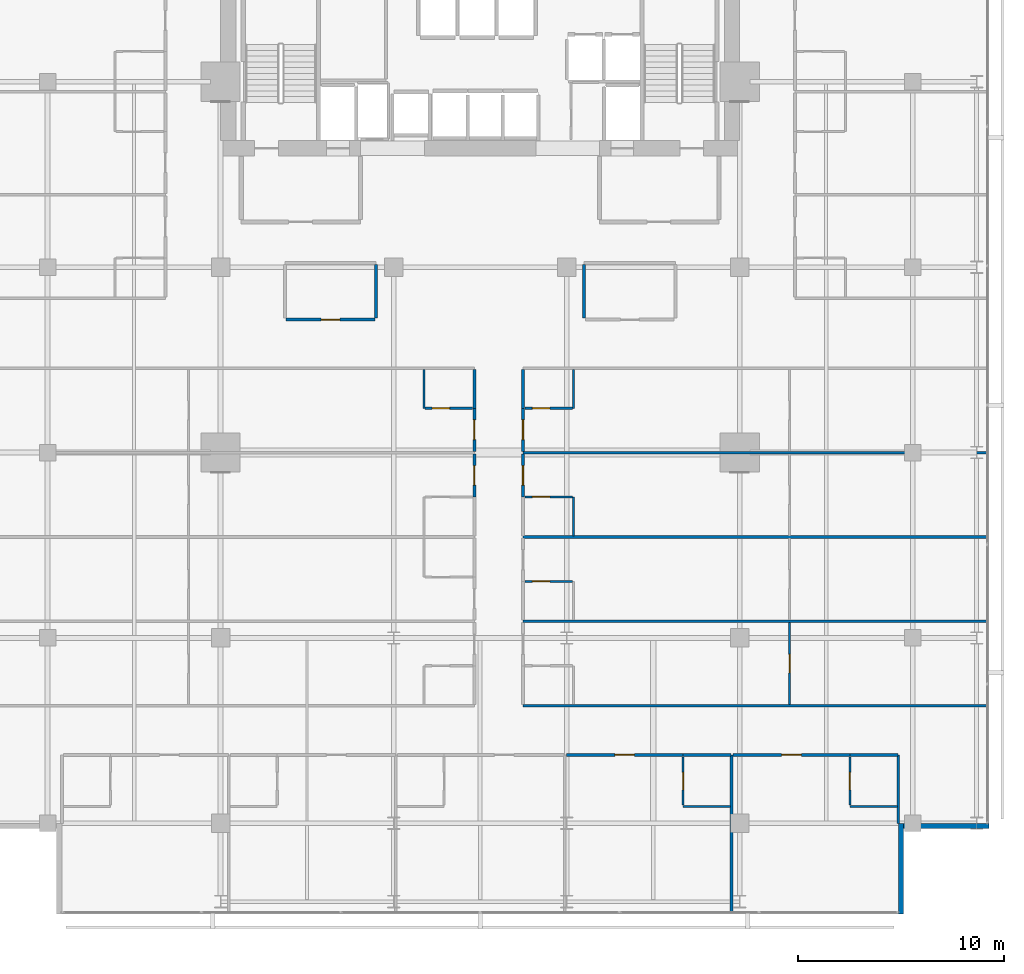
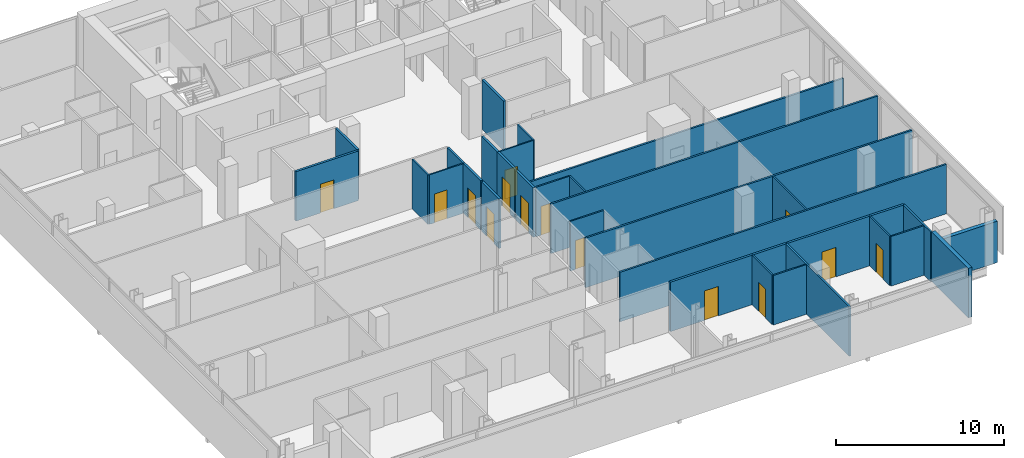
# One storey, part 28 of 34: 33 walls, 14 doors, 14 openings.
"""IFC4 building model written with IfcOpenShell, lengths in metres."""

from ifc_helpers import new_model, si_unit, direction, frame, frame_2d, origin, place, context, subcontext, project, spatial, rectangle, extrude, material, layer, layer_set, type_object, element, fill, save


model = new_model("IFC4")

# Units and contexts
model_context = context("Model", 3, precision=1e-05, world=origin(), true_north=direction((0.0, 1.0)))
body_context = subcontext(model_context, "Body", "Model", "MODEL_VIEW")
ifc_project = project(units=[si_unit("LENGTHUNIT", "METRE"), si_unit("AREAUNIT", "SQUARE_METRE"), si_unit("VOLUMEUNIT", "CUBIC_METRE"), si_unit("PLANEANGLEUNIT", "RADIAN"), si_unit("MASSUNIT", "GRAM", prefix="KILO")], contexts=[model_context])

# Site, building, storey
site_placement = place(None, origin())
site = spatial("IfcSite", under=ifc_project, at=site_placement, CompositionType="ELEMENT")
building_placement = place(site_placement, origin())
building = spatial("IfcBuilding", under=site, at=building_placement, Name="Maruvema Waterfront Hotel and Observation Tower", CompositionType="ELEMENT")
storey_placement = place(building_placement, frame((0.0, 0.0, 177.449951171875)))
storey = spatial("IfcBuildingStorey", under=building, at=storey_placement, Name="L43", CompositionType="ELEMENT", Elevation=177.449951171875)

# Wall
ifc_material_1 = material(Name="Twin-stud acoustic gypsum drywall", Category="gypsum")
ifc_layer_1 = layer(ifc_material_1, 0.14990234375, Name="Acoustic Corridor and Suite Demising Wall 150 mm")
ifc_layer_set_1 = layer_set([ifc_layer_1], Name="Twin-stud acoustic gypsum drywall")
wall_type_1 = type_object("IfcWallType", Name="Acoustic Corridor and Suite Demising Wall 150 mm", PredefinedType="PARTITIONING", material=ifc_layer_set_1)
wall_1_placement = place(storey_placement, frame((32.75, 33.530029296875, 0.0), z_axis=(0.0, 0.0, 1.0), x_axis=(0.0, 1.0, 0.0)))
element("IfcWall", 1, at=wall_1_placement, inside=storey, type_object=wall_type_1, Name="L43 L43-M1 East Wall 019", PredefinedType="PARTITIONING", context=body_context, shape_type="SweptSolid", body=[
    extrude(rectangle(XDim=2.590087890625, YDim=0.14990234375, at=frame_2d((1.294921875, 0.0))), origin(), (0.0, 0.0, 1.0), 3.610107421875),
])

# Wall, opening, door
wall_2_placement = place(storey_placement, frame((28.3798828125, 33.449951171875, 0.0), z_axis=(0.0, 0.0, 1.0), x_axis=(1.0, 0.0, 0.0)))
wall_2 = element("IfcWall", 2, at=wall_2_placement, inside=storey, type_object=wall_type_1, Name="L43 L43-M1 Front 1 020", PredefinedType="PARTITIONING", context=body_context, shape_type="SweptSolid", body=[
    extrude(rectangle(XDim=4.31005859375, YDim=0.14990234375, at=frame_2d((2.155029296875, 0.0))), origin(), (0.0, 0.0, 1.0), 3.610107421875),
])
opening_1_placement = place(wall_2_placement, frame((1.705078125, 0.0, 0.0)))
opening_1 = element("IfcOpeningElement", 3, at=opening_1_placement, cuts=wall_2, Name="Opening DR-090", PredefinedType="OPENING", context=body_context, shape_type="SweptSolid", body=[
    extrude(rectangle(XDim=0.89990234375, YDim=2.10009765625, at=frame_2d((0.449951171875, 1.050048828125))), frame((0.0, 0.0849609375, 0.0), z_axis=(0.0, -1.0, 0.0), x_axis=(1.0, 0.0, 0.0)), (0.0, 0.0, 1.0), 0.169921875),
])
ifc_material_2 = material(Name="Solid-core lacquered timber leaf", Category="wood")
door_type_1 = type_object("IfcDoorType", Name="Accessible Toilet and Room Door 900x2100 mm", OperationType="NOTDEFINED", PredefinedType="DOOR", material=ifc_material_2)
door_1_placement = place(opening_1_placement, frame((0.89990234375, 0.0, 0.0), z_axis=(0.0, 0.0, 1.0), x_axis=(-1.0, 0.0, 0.0)))
door_1 = element("IfcDoor", 4, at=door_1_placement, inside=storey, type_object=door_type_1, Name="L43 Meeting Room 1 Door", OperationType="SINGLE_SWING_RIGHT", OverallHeight=2.10009765625, OverallWidth=0.89990234375, PredefinedType="DOOR", context=body_context, shape_type="SweptSolid", body=[
    extrude(rectangle(XDim=0.89990234375, YDim=2.10009765625, at=frame_2d((0.449951171875, 1.050048828125))), frame((0.0, 0.02490234375, 0.0), z_axis=(0.0, -1.0, 0.0), x_axis=(1.0, 0.0, 0.0)), (0.0, 0.0, 1.0), 0.050048828125),
])
fill(opening_1, door_1)

# Walls
wall_3_placement = place(storey_placement, frame((42.85009765625, 33.530029296875, 0.0), z_axis=(0.0, 0.0, 1.0), x_axis=(0.0, 1.0, 0.0)))
element("IfcWall", 5, at=wall_3_placement, inside=storey, type_object=wall_type_1, Name="L43 L43-M2 West Wall 022", PredefinedType="PARTITIONING", context=body_context, shape_type="SweptSolid", body=[
    extrude(rectangle(XDim=2.590087890625, YDim=0.14990234375, at=frame_2d((1.294921875, 0.0))), origin(), (0.0, 0.0, 1.0), 3.610107421875),
])
wall_4_placement = place(storey_placement, frame((47.64990234375, 12.320068359375, 0.0), z_axis=(0.0, 0.0, 1.0), x_axis=(1.0, 0.0, 0.0)))
element("IfcWall", 6, at=wall_4_placement, inside=storey, type_object=wall_type_1, Name="L43 Bath L43-S4 Back Wall 042", PredefinedType="PARTITIONING", context=body_context, shape_type="SweptSolid", body=[
    extrude(rectangle(XDim=2.330078125, YDim=0.14990234375, at=frame_2d((1.1650390625, 0.0))), origin(), (0.0, 0.0, 1.0), 3.610107421875),
])

# Wall, opening, door
wall_5_placement = place(storey_placement, frame((41.97998046875, 12.320068359375, 0.0), z_axis=(0.0, 0.0, 1.0), x_axis=(1.0, 0.0, 0.0)))
wall_5 = element("IfcWall", 7, at=wall_5_placement, inside=storey, type_object=wall_type_1, Name="L43 Unit L43-S4 Corridor Wall 045", PredefinedType="PARTITIONING", context=body_context, shape_type="SweptSolid", body=[
    extrude(rectangle(XDim=5.669921875, YDim=0.14990234375, at=frame_2d((2.8349609375, 0.0))), origin(), (0.0, 0.0, 1.0), 3.610107421875),
])
opening_2_placement = place(wall_5_placement, frame((2.360107421875, 0.0, 0.0)))
opening_2 = element("IfcOpeningElement", 8, at=opening_2_placement, cuts=wall_5, Name="Opening DR-095", PredefinedType="OPENING", context=body_context, shape_type="SweptSolid", body=[
    extrude(rectangle(XDim=0.949951171875, YDim=2.14990234375, at=frame_2d((0.47509765625, 1.074951171875))), frame((0.0, 0.0849609375, 0.0), z_axis=(0.0, -1.0, 0.0), x_axis=(1.0, 0.0, 0.0)), (0.0, 0.0, 1.0), 0.169921875),
])
ifc_material_3 = material(Name="Acoustic solid-core hardwood timber leaf", Category="wood")
door_type_2 = type_object("IfcDoorType", Name="Guestroom Entrance Fire Door 950x2150 mm", OperationType="NOTDEFINED", PredefinedType="DOOR", material=ifc_material_3)
door_2_placement = place(opening_2_placement, frame((0.949951171875, 0.0, 0.0), z_axis=(0.0, 0.0, 1.0), x_axis=(-1.0, 0.0, 0.0)))
door_2 = element("IfcDoor", 9, at=door_2_placement, inside=storey, type_object=door_type_2, Name="L43 Unit L43-S4 Entrance Door", OperationType="SINGLE_SWING_LEFT", OverallHeight=2.14990234375, OverallWidth=0.949951171875, PredefinedType="DOOR", context=body_context, shape_type="SweptSolid", body=[
    extrude(rectangle(XDim=0.949951171875, YDim=2.14990234375, at=frame_2d((0.47509765625, 1.074951171875))), frame((0.0, 0.02490234375, 0.0), z_axis=(0.0, -1.0, 0.0), x_axis=(1.0, 0.0, 0.0)), (0.0, 0.0, 1.0), 0.050048828125),
])
fill(opening_2, door_2)

# Wall
wall_6_placement = place(storey_placement, frame((55.75, 12.320068359375, 0.0), z_axis=(0.0, 0.0, 1.0), x_axis=(1.0, 0.0, 0.0)))
element("IfcWall", 10, at=wall_6_placement, inside=storey, type_object=wall_type_1, Name="L43 Bath L43-S5 Back Wall 047", PredefinedType="PARTITIONING", context=body_context, shape_type="SweptSolid", body=[
    extrude(rectangle(XDim=2.330078125, YDim=0.14990234375, at=frame_2d((1.1650390625, 0.0))), origin(), (0.0, 0.0, 1.0), 3.610107421875),
])

# Wall, opening, door
wall_7_placement = place(storey_placement, frame((50.080078125, 12.320068359375, 0.0), z_axis=(0.0, 0.0, 1.0), x_axis=(1.0, 0.0, 0.0)))
wall_7 = element("IfcWall", 11, at=wall_7_placement, inside=storey, type_object=wall_type_1, Name="L43 Unit L43-S5 Corridor Wall 050", PredefinedType="PARTITIONING", context=body_context, shape_type="SweptSolid", body=[
    extrude(rectangle(XDim=5.669921875, YDim=0.14990234375, at=frame_2d((2.8349609375, 0.0))), origin(), (0.0, 0.0, 1.0), 3.610107421875),
])
opening_3_placement = place(wall_7_placement, frame((2.360107421875, 0.0, 0.0)))
opening_3 = element("IfcOpeningElement", 12, at=opening_3_placement, cuts=wall_7, Name="Opening DR-095", PredefinedType="OPENING", context=body_context, shape_type="SweptSolid", body=[
    extrude(rectangle(XDim=0.949951171875, YDim=2.14990234375, at=frame_2d((0.47509765625, 1.074951171875))), frame((0.0, 0.0849609375, 0.0), z_axis=(0.0, -1.0, 0.0), x_axis=(1.0, 0.0, 0.0)), (0.0, 0.0, 1.0), 0.169921875),
])
door_3_placement = place(opening_3_placement, frame((0.949951171875, 0.0, 0.0), z_axis=(0.0, 0.0, 1.0), x_axis=(-1.0, 0.0, 0.0)))
door_3 = element("IfcDoor", 13, at=door_3_placement, inside=storey, type_object=door_type_2, Name="L43 Unit L43-S5 Entrance Door", OperationType="SINGLE_SWING_LEFT", OverallHeight=2.14990234375, OverallWidth=0.949951171875, PredefinedType="DOOR", context=body_context, shape_type="SweptSolid", body=[
    extrude(rectangle(XDim=0.949951171875, YDim=2.14990234375, at=frame_2d((0.47509765625, 1.074951171875))), frame((0.0, 0.02490234375, 0.0), z_axis=(0.0, -1.0, 0.0), x_axis=(1.0, 0.0, 0.0)), (0.0, 0.0, 1.0), 0.050048828125),
])
fill(opening_3, door_3)

wall_8_placement = place(storey_placement, frame((37.52001953125, 24.85009765625, 0.0), z_axis=(0.0, 0.0, 1.0), x_axis=(0.0, 1.0, 0.0)))
wall_8 = element("IfcWall", 14, at=wall_8_placement, inside=storey, type_object=wall_type_1, Name="L43 Room L43-W3 Corridor Wall 080", PredefinedType="PARTITIONING", context=body_context, shape_type="SweptSolid", body=[
    extrude(rectangle(XDim=2.08984375, YDim=0.14990234375, at=frame_2d((1.044921875, 0.0))), origin(), (0.0, 0.0, 1.0), 3.610107421875),
])
opening_4_placement = place(wall_8_placement, frame((0.570068359375, 0.0, 0.0)))
opening_4 = element("IfcOpeningElement", 15, at=opening_4_placement, cuts=wall_8, Name="Opening DR-095", PredefinedType="OPENING", context=body_context, shape_type="SweptSolid", body=[
    extrude(rectangle(XDim=0.949951171875, YDim=2.14990234375, at=frame_2d((0.47509765625, 1.074951171875))), frame((0.0, 0.0849609375, 0.0), z_axis=(0.0, -1.0, 0.0), x_axis=(1.0, 0.0, 0.0)), (0.0, 0.0, 1.0), 0.169921875),
])
door_4_placement = place(opening_4_placement, origin())
door_4 = element("IfcDoor", 16, at=door_4_placement, inside=storey, type_object=door_type_2, Name="L43 Room L43-W3 Entrance Door", OperationType="SINGLE_SWING_LEFT", OverallHeight=2.14990234375, OverallWidth=0.949951171875, PredefinedType="DOOR", context=body_context, shape_type="SweptSolid", body=[
    extrude(rectangle(XDim=0.949951171875, YDim=2.14990234375, at=frame_2d((0.47509765625, 1.074951171875))), frame((0.0, 0.02490234375, 0.0), z_axis=(0.0, -1.0, 0.0), x_axis=(1.0, 0.0, 0.0)), (0.0, 0.0, 1.0), 0.050048828125),
])
fill(opening_4, door_4)

wall_9_placement = place(storey_placement, frame((39.8798828125, 24.85009765625, 0.0), z_axis=(0.0, 0.0, 1.0), x_axis=(0.0, 1.0, 0.0)))
wall_9 = element("IfcWall", 17, at=wall_9_placement, inside=storey, type_object=wall_type_1, Name="L43 Room L43-E3 Corridor Wall 085", PredefinedType="PARTITIONING", context=body_context, shape_type="SweptSolid", body=[
    extrude(rectangle(XDim=2.08984375, YDim=0.14990234375, at=frame_2d((1.044921875, 0.0))), origin(), (0.0, 0.0, 1.0), 3.610107421875),
])
opening_5_placement = place(wall_9_placement, frame((0.570068359375, 0.0, 0.0)))
opening_5 = element("IfcOpeningElement", 18, at=opening_5_placement, cuts=wall_9, Name="Opening DR-095", PredefinedType="OPENING", context=body_context, shape_type="SweptSolid", body=[
    extrude(rectangle(XDim=0.949951171875, YDim=2.14990234375, at=frame_2d((0.47509765625, 1.074951171875))), frame((0.0, 0.0849609375, 0.0), z_axis=(0.0, -1.0, 0.0), x_axis=(1.0, 0.0, 0.0)), (0.0, 0.0, 1.0), 0.169921875),
])
door_5_placement = place(opening_5_placement, frame((0.949951171875, 0.0, 0.0), z_axis=(0.0, 0.0, 1.0), x_axis=(-1.0, 0.0, 0.0)))
door_5 = element("IfcDoor", 19, at=door_5_placement, inside=storey, type_object=door_type_2, Name="L43 Room L43-E3 Entrance Door", OperationType="SINGLE_SWING_RIGHT", OverallHeight=2.14990234375, OverallWidth=0.949951171875, PredefinedType="DOOR", context=body_context, shape_type="SweptSolid", body=[
    extrude(rectangle(XDim=0.949951171875, YDim=2.14990234375, at=frame_2d((0.47509765625, 1.074951171875))), frame((0.0, 0.02490234375, 0.0), z_axis=(0.0, -1.0, 0.0), x_axis=(1.0, 0.0, 0.0)), (0.0, 0.0, 1.0), 0.050048828125),
])
fill(opening_5, door_5)

wall_10_placement = place(storey_placement, frame((37.52001953125, 27.06005859375, 0.0), z_axis=(0.0, 0.0, 1.0), x_axis=(0.0, 1.0, 0.0)))
wall_10 = element("IfcWall", 20, at=wall_10_placement, inside=storey, type_object=wall_type_1, Name="L43 Room L43-W4 Corridor Wall 091", PredefinedType="PARTITIONING", context=body_context, shape_type="SweptSolid", body=[
    extrude(rectangle(XDim=2.08984375, YDim=0.14990234375, at=frame_2d((1.044921875, 0.0))), origin(), (0.0, 0.0, 1.0), 3.610107421875),
])
opening_6_placement = place(wall_10_placement, frame((0.570068359375, 0.0, 0.0)))
opening_6 = element("IfcOpeningElement", 21, at=opening_6_placement, cuts=wall_10, Name="Opening DR-095", PredefinedType="OPENING", context=body_context, shape_type="SweptSolid", body=[
    extrude(rectangle(XDim=0.949951171875, YDim=2.14990234375, at=frame_2d((0.47509765625, 1.074951171875))), frame((0.0, 0.0849609375, 0.0), z_axis=(0.0, -1.0, 0.0), x_axis=(1.0, 0.0, 0.0)), (0.0, 0.0, 1.0), 0.169921875),
])
door_6_placement = place(opening_6_placement, origin())
door_6 = element("IfcDoor", 22, at=door_6_placement, inside=storey, type_object=door_type_2, Name="L43 Room L43-W4 Entrance Door", OperationType="SINGLE_SWING_LEFT", OverallHeight=2.14990234375, OverallWidth=0.949951171875, PredefinedType="DOOR", context=body_context, shape_type="SweptSolid", body=[
    extrude(rectangle(XDim=0.949951171875, YDim=2.14990234375, at=frame_2d((0.47509765625, 1.074951171875))), frame((0.0, 0.02490234375, 0.0), z_axis=(0.0, -1.0, 0.0), x_axis=(1.0, 0.0, 0.0)), (0.0, 0.0, 1.0), 0.050048828125),
])
fill(opening_6, door_6)

# Wall
wall_11_placement = place(storey_placement, frame((37.52001953125, 29.14990234375, 0.0), z_axis=(0.0, 0.0, 1.0), x_axis=(0.0, 1.0, 0.0)))
element("IfcWall", 23, at=wall_11_placement, inside=storey, type_object=wall_type_1, Name="L43 Bath L43-W4 Wall 092", PredefinedType="PARTITIONING", context=body_context, shape_type="SweptSolid", body=[
    extrude(rectangle(XDim=1.89013671875, YDim=0.14990234375, at=frame_2d((0.945068359375, 0.0))), origin(), (0.0, 0.0, 1.0), 3.610107421875),
])

# Wall, opening, door
wall_12_placement = place(storey_placement, frame((39.8798828125, 27.06005859375, 0.0), z_axis=(0.0, 0.0, 1.0), x_axis=(0.0, 1.0, 0.0)))
wall_12 = element("IfcWall", 24, at=wall_12_placement, inside=storey, type_object=wall_type_1, Name="L43 Room L43-E4 Corridor Wall 096", PredefinedType="PARTITIONING", context=body_context, shape_type="SweptSolid", body=[
    extrude(rectangle(XDim=2.08984375, YDim=0.14990234375, at=frame_2d((1.044921875, 0.0))), origin(), (0.0, 0.0, 1.0), 3.610107421875),
])
opening_7_placement = place(wall_12_placement, frame((0.570068359375, 0.0, 0.0)))
opening_7 = element("IfcOpeningElement", 25, at=opening_7_placement, cuts=wall_12, Name="Opening DR-095", PredefinedType="OPENING", context=body_context, shape_type="SweptSolid", body=[
    extrude(rectangle(XDim=0.949951171875, YDim=2.14990234375, at=frame_2d((0.47509765625, 1.074951171875))), frame((0.0, 0.0849609375, 0.0), z_axis=(0.0, -1.0, 0.0), x_axis=(1.0, 0.0, 0.0)), (0.0, 0.0, 1.0), 0.169921875),
])
door_7_placement = place(opening_7_placement, frame((0.949951171875, 0.0, 0.0), z_axis=(0.0, 0.0, 1.0), x_axis=(-1.0, 0.0, 0.0)))
door_7 = element("IfcDoor", 26, at=door_7_placement, inside=storey, type_object=door_type_2, Name="L43 Room L43-E4 Entrance Door", OperationType="SINGLE_SWING_RIGHT", OverallHeight=2.14990234375, OverallWidth=0.949951171875, PredefinedType="DOOR", context=body_context, shape_type="SweptSolid", body=[
    extrude(rectangle(XDim=0.949951171875, YDim=2.14990234375, at=frame_2d((0.47509765625, 1.074951171875))), frame((0.0, 0.02490234375, 0.0), z_axis=(0.0, -1.0, 0.0), x_axis=(1.0, 0.0, 0.0)), (0.0, 0.0, 1.0), 0.050048828125),
])
fill(opening_7, door_7)

# Walls
wall_13_placement = place(storey_placement, frame((39.8798828125, 29.14990234375, 0.0), z_axis=(0.0, 0.0, 1.0), x_axis=(0.0, 1.0, 0.0)))
element("IfcWall", 27, at=wall_13_placement, inside=storey, type_object=wall_type_1, Name="L43 Bath L43-E4 Wall 097", PredefinedType="PARTITIONING", context=body_context, shape_type="SweptSolid", body=[
    extrude(rectangle(XDim=1.89013671875, YDim=0.14990234375, at=frame_2d((0.945068359375, 0.0))), origin(), (0.0, 0.0, 1.0), 3.610107421875),
])
ifc_material_4 = material(Name="Moisture-resistant cement-board drywall", Category="gypsum")
ifc_layer_2 = layer(ifc_material_4, 0.10009765625, Name="En-Suite Moisture-Resistant Partition 100 mm")
ifc_layer_set_2 = layer_set([ifc_layer_2], Name="Moisture-resistant cement-board drywall")
wall_type_2 = type_object("IfcWallType", Name="En-Suite Moisture-Resistant Partition 100 mm", PredefinedType="PARTITIONING", material=ifc_layer_set_2)
wall_14_placement = place(storey_placement, frame((47.64990234375, 9.820068359375, 0.0), z_axis=(0.0, 0.0, 1.0), x_axis=(1.0, 0.0, 0.0)))
element("IfcWall", 28, at=wall_14_placement, inside=storey, type_object=wall_type_2, Name="L43 En-Suite L43-S4 South 043", PredefinedType="PARTITIONING", context=body_context, shape_type="SweptSolid", body=[
    extrude(rectangle(XDim=2.31005859375, YDim=0.10009765625, at=frame_2d((1.155029296875, 0.0))), origin(), (0.0, 0.0, 1.0), 3.610107421875),
])

# Wall, opening, door
wall_15_placement = place(storey_placement, frame((47.64990234375, 9.8798828125, 0.0), z_axis=(0.0, 0.0, 1.0), x_axis=(0.0, 1.0, 0.0)))
wall_15 = element("IfcWall", 29, at=wall_15_placement, inside=storey, type_object=wall_type_2, Name="L43 En-Suite L43-S4 West 044", PredefinedType="PARTITIONING", context=body_context, shape_type="SweptSolid", body=[
    extrude(rectangle(XDim=2.340087890625, YDim=0.10009765625, at=frame_2d((1.169921875, 0.0))), origin(), (0.0, 0.0, 1.0), 3.610107421875),
])
opening_8_placement = place(wall_15_placement, frame((0.7451171875, 0.0, 0.0)))
opening_8 = element("IfcOpeningElement", 30, at=opening_8_placement, cuts=wall_15, Name="Opening DR-085", PredefinedType="OPENING", context=body_context, shape_type="SweptSolid", body=[
    extrude(rectangle(XDim=0.85009765625, YDim=2.10009765625, at=frame_2d((0.425048828125, 1.050048828125))), frame((0.0, 0.06005859375, 0.0), z_axis=(0.0, -1.0, 0.0), x_axis=(1.0, 0.0, 0.0)), (0.0, 0.0, 1.0), 0.1201171875),
])
ifc_material_5 = material(Name="Moisture-resistant solid timber leaf", Category="wood")
door_type_3 = type_object("IfcDoorType", Name="En-Suite Bathroom Door 850x2100 mm", OperationType="NOTDEFINED", PredefinedType="DOOR", material=ifc_material_5)
door_8_placement = place(opening_8_placement, origin())
door_8 = element("IfcDoor", 31, at=door_8_placement, inside=storey, type_object=door_type_3, Name="L43 En-Suite L43-S4 Door", OperationType="SINGLE_SWING_RIGHT", OverallHeight=2.10009765625, OverallWidth=0.85009765625, PredefinedType="DOOR", context=body_context, shape_type="SweptSolid", body=[
    extrude(rectangle(XDim=0.85009765625, YDim=2.10009765625, at=frame_2d((0.425048828125, 1.050048828125))), frame((0.0, 0.02490234375, 0.0), z_axis=(0.0, -1.0, 0.0), x_axis=(1.0, 0.0, 0.0)), (0.0, 0.0, 1.0), 0.050048828125),
])
fill(opening_8, door_8)

# Wall
wall_16_placement = place(storey_placement, frame((55.75, 9.820068359375, 0.0), z_axis=(0.0, 0.0, 1.0), x_axis=(1.0, 0.0, 0.0)))
element("IfcWall", 32, at=wall_16_placement, inside=storey, type_object=wall_type_2, Name="L43 En-Suite L43-S5 South 048", PredefinedType="PARTITIONING", context=body_context, shape_type="SweptSolid", body=[
    extrude(rectangle(XDim=2.31005859375, YDim=0.10009765625, at=frame_2d((1.155029296875, 0.0))), origin(), (0.0, 0.0, 1.0), 3.610107421875),
])

# Wall, opening, door
wall_17_placement = place(storey_placement, frame((55.75, 9.8798828125, 0.0), z_axis=(0.0, 0.0, 1.0), x_axis=(0.0, 1.0, 0.0)))
wall_17 = element("IfcWall", 33, at=wall_17_placement, inside=storey, type_object=wall_type_2, Name="L43 En-Suite L43-S5 West 049", PredefinedType="PARTITIONING", context=body_context, shape_type="SweptSolid", body=[
    extrude(rectangle(XDim=2.340087890625, YDim=0.10009765625, at=frame_2d((1.169921875, 0.0))), origin(), (0.0, 0.0, 1.0), 3.610107421875),
])
opening_9_placement = place(wall_17_placement, frame((0.7451171875, 0.0, 0.0)))
opening_9 = element("IfcOpeningElement", 34, at=opening_9_placement, cuts=wall_17, Name="Opening DR-085", PredefinedType="OPENING", context=body_context, shape_type="SweptSolid", body=[
    extrude(rectangle(XDim=0.85009765625, YDim=2.10009765625, at=frame_2d((0.425048828125, 1.050048828125))), frame((0.0, 0.06005859375, 0.0), z_axis=(0.0, -1.0, 0.0), x_axis=(1.0, 0.0, 0.0)), (0.0, 0.0, 1.0), 0.1201171875),
])
door_9_placement = place(opening_9_placement, origin())
door_9 = element("IfcDoor", 35, at=door_9_placement, inside=storey, type_object=door_type_3, Name="L43 En-Suite L43-S5 Door", OperationType="SINGLE_SWING_RIGHT", OverallHeight=2.10009765625, OverallWidth=0.85009765625, PredefinedType="DOOR", context=body_context, shape_type="SweptSolid", body=[
    extrude(rectangle(XDim=0.85009765625, YDim=2.10009765625, at=frame_2d((0.425048828125, 1.050048828125))), frame((0.0, 0.02490234375, 0.0), z_axis=(0.0, -1.0, 0.0), x_axis=(1.0, 0.0, 0.0)), (0.0, 0.0, 1.0), 0.050048828125),
])
fill(opening_9, door_9)

wall_18_placement = place(storey_placement, frame((52.818359375, 14.760009765625, 0.0), z_axis=(0.0, 0.0, 1.0), x_axis=(0.0, 1.0, 0.0)))
wall_18 = element("IfcWall", 36, at=wall_18_placement, inside=storey, type_object=wall_type_2, Name="L43 Suite L43-E1 Split 064", PredefinedType="PARTITIONING", context=body_context, shape_type="SweptSolid", body=[
    extrude(rectangle(XDim=3.97998046875, YDim=0.10009765625, at=frame_2d((1.989990234375, 0.0))), origin(), (0.0, 0.0, 1.0), 3.610107421875),
])
opening_10_placement = place(wall_18_placement, frame((1.5400390625, 0.0, 0.0)))
opening_10 = element("IfcOpeningElement", 37, at=opening_10_placement, cuts=wall_18, Name="Opening DR-090", PredefinedType="OPENING", context=body_context, shape_type="SweptSolid", body=[
    extrude(rectangle(XDim=0.89990234375, YDim=2.10009765625, at=frame_2d((0.449951171875, 1.050048828125))), frame((0.0, 0.06005859375, 0.0), z_axis=(0.0, -1.0, 0.0), x_axis=(1.0, 0.0, 0.0)), (0.0, 0.0, 1.0), 0.1201171875),
])
door_10_placement = place(opening_10_placement, frame((0.89990234375, 0.0, 0.0), z_axis=(0.0, 0.0, 1.0), x_axis=(-1.0, 0.0, 0.0)))
door_10 = element("IfcDoor", 38, at=door_10_placement, inside=storey, type_object=door_type_1, Name="L43 Suite L43-E1 Bedroom Door", OperationType="SINGLE_SWING_LEFT", OverallHeight=2.10009765625, OverallWidth=0.89990234375, PredefinedType="DOOR", context=body_context, shape_type="SweptSolid", body=[
    extrude(rectangle(XDim=0.89990234375, YDim=2.10009765625, at=frame_2d((0.449951171875, 1.050048828125))), frame((0.0, 0.02490234375, 0.0), z_axis=(0.0, -1.0, 0.0), x_axis=(1.0, 0.0, 0.0)), (0.0, 0.0, 1.0), 0.050048828125),
])
fill(opening_10, door_10)

wall_19_placement = place(storey_placement, frame((39.97998046875, 20.75, 0.0), z_axis=(0.0, 0.0, 1.0), x_axis=(1.0, 0.0, 0.0)))
wall_19 = element("IfcWall", 39, at=wall_19_placement, inside=storey, type_object=wall_type_2, Name="L43 En-Suite L43-E2 N 075", PredefinedType="PARTITIONING", context=body_context, shape_type="SweptSolid", body=[
    extrude(rectangle(XDim=2.300048828125, YDim=0.10009765625, at=frame_2d((1.14990234375, 0.0))), origin(), (0.0, 0.0, 1.0), 3.610107421875),
])
opening_11_placement = place(wall_19_placement, frame((0.35009765625, 0.0, 0.0)))
opening_11 = element("IfcOpeningElement", 40, at=opening_11_placement, cuts=wall_19, Name="Opening DR-085", PredefinedType="OPENING", context=body_context, shape_type="SweptSolid", body=[
    extrude(rectangle(XDim=0.85009765625, YDim=2.10009765625, at=frame_2d((0.425048828125, 1.050048828125))), frame((0.0, 0.06005859375, 0.0), z_axis=(0.0, -1.0, 0.0), x_axis=(1.0, 0.0, 0.0)), (0.0, 0.0, 1.0), 0.1201171875),
])
door_11_placement = place(opening_11_placement, origin())
door_11 = element("IfcDoor", 41, at=door_11_placement, inside=storey, type_object=door_type_3, Name="L43 En-Suite L43-E2 Door", OperationType="SINGLE_SWING_LEFT", OverallHeight=2.10009765625, OverallWidth=0.85009765625, PredefinedType="DOOR", context=body_context, shape_type="SweptSolid", body=[
    extrude(rectangle(XDim=0.85009765625, YDim=2.10009765625, at=frame_2d((0.425048828125, 1.050048828125))), frame((0.0, 0.02490234375, 0.0), z_axis=(0.0, -1.0, 0.0), x_axis=(1.0, 0.0, 0.0)), (0.0, 0.0, 1.0), 0.050048828125),
])
fill(opening_11, door_11)

# Wall
wall_20_placement = place(storey_placement, frame((42.330078125, 22.9599609375, 0.0), z_axis=(0.0, 0.0, 1.0), x_axis=(0.0, 1.0, 0.0)))
element("IfcWall", 42, at=wall_20_placement, inside=storey, type_object=wall_type_2, Name="L43 En-Suite L43-E3 E 086", PredefinedType="PARTITIONING", context=body_context, shape_type="SweptSolid", body=[
    extrude(rectangle(XDim=1.89013671875, YDim=0.10009765625, at=frame_2d((0.945068359375, 0.0))), origin(), (0.0, 0.0, 1.0), 3.610107421875),
])

# Wall, opening, door
wall_21_placement = place(storey_placement, frame((39.97998046875, 24.85009765625, 0.0), z_axis=(0.0, 0.0, 1.0), x_axis=(1.0, 0.0, 0.0)))
wall_21 = element("IfcWall", 43, at=wall_21_placement, inside=storey, type_object=wall_type_2, Name="L43 En-Suite L43-E3 N 087", PredefinedType="PARTITIONING", context=body_context, shape_type="SweptSolid", body=[
    extrude(rectangle(XDim=2.300048828125, YDim=0.10009765625, at=frame_2d((1.14990234375, 0.0))), origin(), (0.0, 0.0, 1.0), 3.610107421875),
])
opening_12_placement = place(wall_21_placement, frame((0.35009765625, 0.0, 0.0)))
opening_12 = element("IfcOpeningElement", 44, at=opening_12_placement, cuts=wall_21, Name="Opening DR-085", PredefinedType="OPENING", context=body_context, shape_type="SweptSolid", body=[
    extrude(rectangle(XDim=0.85009765625, YDim=2.10009765625, at=frame_2d((0.425048828125, 1.050048828125))), frame((0.0, 0.06005859375, 0.0), z_axis=(0.0, -1.0, 0.0), x_axis=(1.0, 0.0, 0.0)), (0.0, 0.0, 1.0), 0.1201171875),
])
door_12_placement = place(opening_12_placement, origin())
door_12 = element("IfcDoor", 45, at=door_12_placement, inside=storey, type_object=door_type_3, Name="L43 En-Suite L43-E3 Door", OperationType="SINGLE_SWING_LEFT", OverallHeight=2.10009765625, OverallWidth=0.85009765625, PredefinedType="DOOR", context=body_context, shape_type="SweptSolid", body=[
    extrude(rectangle(XDim=0.85009765625, YDim=2.10009765625, at=frame_2d((0.425048828125, 1.050048828125))), frame((0.0, 0.02490234375, 0.0), z_axis=(0.0, -1.0, 0.0), x_axis=(1.0, 0.0, 0.0)), (0.0, 0.0, 1.0), 0.050048828125),
])
fill(opening_12, door_12)

# Wall
wall_22_placement = place(storey_placement, frame((35.070068359375, 29.14990234375, 0.0), z_axis=(0.0, 0.0, 1.0), x_axis=(0.0, 1.0, 0.0)))
element("IfcWall", 46, at=wall_22_placement, inside=storey, type_object=wall_type_2, Name="L43 En-Suite L43-W4 W 093", PredefinedType="PARTITIONING", context=body_context, shape_type="SweptSolid", body=[
    extrude(rectangle(XDim=1.89013671875, YDim=0.10009765625, at=frame_2d((0.945068359375, 0.0))), origin(), (0.0, 0.0, 1.0), 3.610107421875),
])

# Wall, opening, door
wall_23_placement = place(storey_placement, frame((35.1201171875, 29.14990234375, 0.0), z_axis=(0.0, 0.0, 1.0), x_axis=(1.0, 0.0, 0.0)))
wall_23 = element("IfcWall", 47, at=wall_23_placement, inside=storey, type_object=wall_type_2, Name="L43 En-Suite L43-W4 S 094", PredefinedType="PARTITIONING", context=body_context, shape_type="SweptSolid", body=[
    extrude(rectangle(XDim=2.2998046875, YDim=0.10009765625, at=frame_2d((1.14990234375, 0.0))), origin(), (0.0, 0.0, 1.0), 3.610107421875),
])
opening_13_placement = place(wall_23_placement, frame((0.35009765625, 0.0, 0.0)))
opening_13 = element("IfcOpeningElement", 48, at=opening_13_placement, cuts=wall_23, Name="Opening DR-085", PredefinedType="OPENING", context=body_context, shape_type="SweptSolid", body=[
    extrude(rectangle(XDim=0.85009765625, YDim=2.10009765625, at=frame_2d((0.425048828125, 1.050048828125))), frame((0.0, 0.06005859375, 0.0), z_axis=(0.0, -1.0, 0.0), x_axis=(1.0, 0.0, 0.0)), (0.0, 0.0, 1.0), 0.1201171875),
])
door_13_placement = place(opening_13_placement, frame((0.85009765625, 0.0, 0.0), z_axis=(0.0, 0.0, 1.0), x_axis=(-1.0, 0.0, 0.0)))
door_13 = element("IfcDoor", 49, at=door_13_placement, inside=storey, type_object=door_type_3, Name="L43 En-Suite L43-W4 Door", OperationType="SINGLE_SWING_RIGHT", OverallHeight=2.10009765625, OverallWidth=0.85009765625, PredefinedType="DOOR", context=body_context, shape_type="SweptSolid", body=[
    extrude(rectangle(XDim=0.85009765625, YDim=2.10009765625, at=frame_2d((0.425048828125, 1.050048828125))), frame((0.0, 0.02490234375, 0.0), z_axis=(0.0, -1.0, 0.0), x_axis=(1.0, 0.0, 0.0)), (0.0, 0.0, 1.0), 0.050048828125),
])
fill(opening_13, door_13)

# Wall
wall_24_placement = place(storey_placement, frame((42.330078125, 29.14990234375, 0.0), z_axis=(0.0, 0.0, 1.0), x_axis=(0.0, 1.0, 0.0)))
element("IfcWall", 50, at=wall_24_placement, inside=storey, type_object=wall_type_2, Name="L43 En-Suite L43-E4 E 098", PredefinedType="PARTITIONING", context=body_context, shape_type="SweptSolid", body=[
    extrude(rectangle(XDim=1.89013671875, YDim=0.10009765625, at=frame_2d((0.945068359375, 0.0))), origin(), (0.0, 0.0, 1.0), 3.610107421875),
])

# Wall, opening, door
wall_25_placement = place(storey_placement, frame((39.97998046875, 29.14990234375, 0.0), z_axis=(0.0, 0.0, 1.0), x_axis=(1.0, 0.0, 0.0)))
wall_25 = element("IfcWall", 51, at=wall_25_placement, inside=storey, type_object=wall_type_2, Name="L43 En-Suite L43-E4 S 099", PredefinedType="PARTITIONING", context=body_context, shape_type="SweptSolid", body=[
    extrude(rectangle(XDim=2.300048828125, YDim=0.10009765625, at=frame_2d((1.14990234375, 0.0))), origin(), (0.0, 0.0, 1.0), 3.610107421875),
])
opening_14_placement = place(wall_25_placement, frame((0.35009765625, 0.0, 0.0)))
opening_14 = element("IfcOpeningElement", 52, at=opening_14_placement, cuts=wall_25, Name="Opening DR-085", PredefinedType="OPENING", context=body_context, shape_type="SweptSolid", body=[
    extrude(rectangle(XDim=0.85009765625, YDim=2.10009765625, at=frame_2d((0.425048828125, 1.050048828125))), frame((0.0, 0.06005859375, 0.0), z_axis=(0.0, -1.0, 0.0), x_axis=(1.0, 0.0, 0.0)), (0.0, 0.0, 1.0), 0.1201171875),
])
door_14_placement = place(opening_14_placement, frame((0.85009765625, 0.0, 0.0), z_axis=(0.0, 0.0, 1.0), x_axis=(-1.0, 0.0, 0.0)))
door_14 = element("IfcDoor", 53, at=door_14_placement, inside=storey, type_object=door_type_3, Name="L43 En-Suite L43-E4 Door", OperationType="SINGLE_SWING_LEFT", OverallHeight=2.10009765625, OverallWidth=0.85009765625, PredefinedType="DOOR", context=body_context, shape_type="SweptSolid", body=[
    extrude(rectangle(XDim=0.85009765625, YDim=2.10009765625, at=frame_2d((0.425048828125, 1.050048828125))), frame((0.0, 0.02490234375, 0.0), z_axis=(0.0, -1.0, 0.0), x_axis=(1.0, 0.0, 0.0)), (0.0, 0.0, 1.0), 0.050048828125),
])
fill(opening_14, door_14)

# Walls
ifc_material_6 = material(Name="Precast concrete C45/55 with honed Pernambuco granite facing", Category="masonry")
ifc_layer_3 = layer(ifc_material_6, 0.260009765625, Name="Exterior Granite Clad Spandrel and Pier Wall 260 mm")
ifc_layer_set_3 = layer_set([ifc_layer_3], Name="Precast concrete C45/55 with honed Pernambuco granite facing")
wall_type_3 = type_object("IfcWallType", Name="Exterior Granite Clad Spandrel and Pier Wall 260 mm", PredefinedType="SOLIDWALL", material=ifc_layer_set_3)
wall_26_placement = place(storey_placement, frame((58.22998046875, 9.0, 0.0), z_axis=(0.0, 0.0, 1.0), x_axis=(0.0, -1.0, 0.0)))
element("IfcWall", 54, at=wall_26_placement, inside=storey, type_object=wall_type_3, Name="L43 Corner Notch Granite Pier Wall SE1", PredefinedType="SOLIDWALL", context=body_context, shape_type="SweptSolid", body=[
    extrude(rectangle(XDim=4.39990234375, YDim=0.260009765625, at=frame_2d((2.199951171875, 0.0))), origin(), (0.0, 0.0, 1.0), 3.610107421875),
])
wall_27_placement = place(storey_placement, frame((62.5, 8.8701171875, 0.0), z_axis=(0.0, 0.0, 1.0), x_axis=(-1.0, 0.0, 0.0)))
element("IfcWall", 55, at=wall_27_placement, inside=storey, type_object=wall_type_3, Name="L43 Corner Notch Granite Pier Wall SE2", PredefinedType="SOLIDWALL", context=body_context, shape_type="SweptSolid", body=[
    extrude(rectangle(XDim=4.39990234375, YDim=0.260009765625, at=frame_2d((2.199951171875, 0.0))), origin(), (0.0, 0.0, 1.0), 3.007080078125),
])
ifc_material_7 = material(Name="Acoustic gypsum plasterboard drywall", Category="gypsum")
ifc_layer_4 = layer(ifc_material_7, 0.125, Name="Guestroom Acoustic Demising Wall 125 mm")
ifc_layer_set_4 = layer_set([ifc_layer_4], Name="Acoustic gypsum plasterboard drywall")
wall_type_4 = type_object("IfcWallType", Name="Guestroom Acoustic Demising Wall 125 mm", PredefinedType="PARTITIONING", material=ifc_layer_set_4)
wall_28_placement = place(storey_placement, frame((58.10009765625, 9.0, 0.0), z_axis=(0.0, 0.0, 1.0), x_axis=(0.0, 1.0, 0.0)))
element("IfcWall", 56, at=wall_28_placement, inside=storey, type_object=wall_type_4, Name="L43 Z2 S East End 026", PredefinedType="PARTITIONING", context=body_context, shape_type="SweptSolid", body=[
    extrude(rectangle(XDim=3.320068359375, YDim=0.125, at=frame_2d((1.66015625, 0.0))), origin(), (0.0, 0.0, 1.0), 3.610107421875),
])
wall_29_placement = place(storey_placement, frame((50.0, 4.699951171875, 0.0), z_axis=(0.0, 0.0, 1.0), x_axis=(0.0, 1.0, 0.0)))
element("IfcWall", 57, at=wall_29_placement, inside=storey, type_object=wall_type_4, Name="L43 Z2 S Demising 5 046", PredefinedType="PARTITIONING", context=body_context, shape_type="SweptSolid", body=[
    extrude(rectangle(XDim=7.6201171875, YDim=0.125, at=frame_2d((3.81005859375, 0.0))), origin(), (0.0, 0.0, 1.0), 3.610107421875),
])
for number, where, z_axis, x_axis, name in (
    (58, (39.8798828125, 14.699951171875, 0.0), (0.0, 0.0, 1.0), (1.0, 0.0, 0.0), "L43 Z2 E Bot End 052"),
    (59, (39.8798828125, 18.800048828125, 0.0), (0.0, 0.0, 1.0), (1.0, 0.0, 0.0), "L43 Z2 E Demising 2 066"),
    (60, (39.8798828125, 22.89990234375, 0.0), (0.0, 0.0, 1.0), (1.0, 0.0, 0.0), "L43 Z2 E Demising 3 078"),
):
    element("IfcWall", number, at=place(storey_placement, frame(where, z_axis=z_axis, x_axis=x_axis)), inside=storey, type_object=wall_type_4, Name=name, PredefinedType="PARTITIONING", context=body_context, shape_type="SweptSolid", body=[
        extrude(rectangle(XDim=22.52001953125, YDim=0.125, at=frame_2d((11.260009765625, 0.0))), origin(), (0.0, 0.0, 1.0), 3.610107421875),
    ])
wall_30_placement = place(storey_placement, frame((39.8798828125, 27.0, 0.0), z_axis=(0.0, 0.0, 1.0), x_axis=(1.0, 0.0, 0.0)))
element("IfcWall", 61, at=wall_30_placement, inside=storey, type_object=wall_type_4, Name="L43 Z2 E Demising 4 090", PredefinedType="PARTITIONING", context=body_context, shape_type="SweptSolid", body=[
    extrude(rectangle(XDim=22.52001953125, YDim=0.125, at=frame_2d((11.260009765625, 0.0))), origin(), (0.0, 0.0, 1.0), 2.41015625),
])

save(model, "model.ifc")
